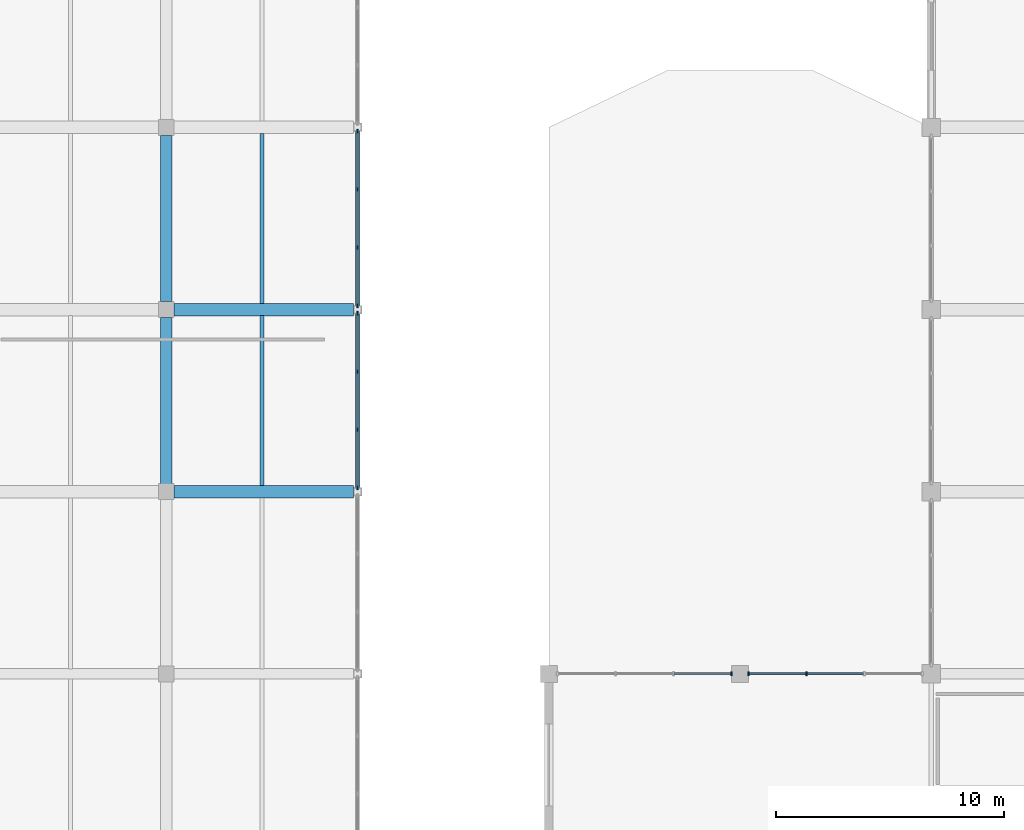
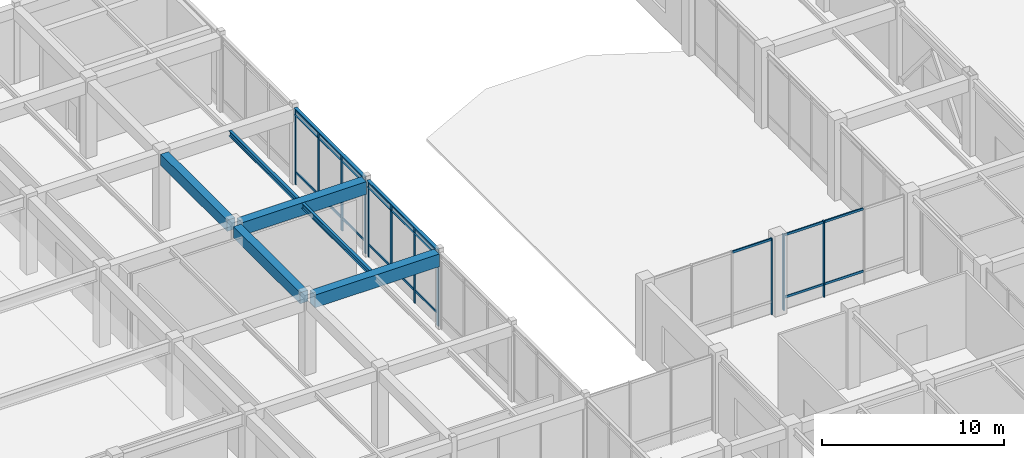
# One storey, part 34 of 79: 28 members, 8 beams, 4 elements without a shape of their own.
"""IFC4 building model written with IfcOpenShell, lengths in metres."""

from ifc_helpers import new_model, si_unit, direction, frame, origin, origin_2d, place, context, subcontext, project, spatial, rectangle, i_section, extrude, material, layer, layer_set, material_profile, profile_set, type_object, element, aggregate, save


model = new_model("IFC4")

# Units and contexts
model_context = context("Model", 3, precision=1e-05, world=origin(), true_north=direction((0.0, 1.0)))
body_context = subcontext(model_context, "Body", "Model", "MODEL_VIEW")
ifc_project = project(units=[si_unit("LENGTHUNIT", "METRE"), si_unit("AREAUNIT", "SQUARE_METRE"), si_unit("VOLUMEUNIT", "CUBIC_METRE"), si_unit("PLANEANGLEUNIT", "RADIAN"), si_unit("MASSUNIT", "GRAM", prefix="KILO")], contexts=[model_context])

# Site, building, storey
site_placement = place(None, origin())
site = spatial("IfcSite", under=ifc_project, at=site_placement, CompositionType="ELEMENT")
building_placement = place(site_placement, origin())
building = spatial("IfcBuilding", under=site, at=building_placement, Name="Naruveol Harbour Congress Hotel", CompositionType="ELEMENT")
storey_placement = place(building_placement, frame((0.0, 0.0, 6.0)))
storey = spatial("IfcBuildingStorey", under=building, at=storey_placement, Name="L01", CompositionType="ELEMENT", Elevation=6.0)

# Beams
ifc_material_1 = material(Name="Concrete C40/50", Category="concrete")
ifc_material_profile_1 = material_profile(ifc_material_1, rectangle(XDim=0.5, YDim=0.75, at=origin_2d()), Name="RCB-500x750")
ifc_profile_set_1 = profile_set([ifc_material_profile_1], Name="Concrete C40/50")
beam_type_1 = type_object("IfcBeamType", Name="RC FLOOR GIRDER 500X750", PredefinedType="BEAM", material=ifc_profile_set_1)
for number, where, z_axis, x_axis, name in (
    (1, (33.60009765625, 80.345947265625, 4.764892578125), (0.0, 1.0, 0.0), (-1.0, 0.0, 0.0), "Transverse girder L02 CB3"),
    (2, (33.60009765625, 88.345947265625, 4.764892578125), (0.0, 1.0, 0.0), (-1.0, 0.0, 0.0), "Transverse girder L02 CB3"),
):
    element("IfcBeam", number, at=place(storey_placement, frame(where, z_axis=z_axis, x_axis=x_axis)), inside=storey, type_object=beam_type_1, Name=name, PredefinedType="BEAM", context=body_context, shape_type="SweptSolid", body=[
        extrude(rectangle(XDim=0.5, YDim=0.75, at=origin_2d()), origin(), (0.0, 0.0, 1.0), 7.30810546875),
    ])
ifc_material_2 = material(Name="Concrete C40/50", Category="concrete")
ifc_material_profile_2 = material_profile(ifc_material_2, rectangle(XDim=0.550048828125, YDim=0.85009765625, at=origin_2d()), Name="RCB-550x850")
ifc_profile_set_2 = profile_set([ifc_material_profile_2], Name="Concrete C40/50")
beam_type_2 = type_object("IfcBeamType", Name="RC PRIMARY GIRDER 550X850", PredefinedType="BEAM", material=ifc_profile_set_2)
for number, where, z_axis, x_axis, name in (
    (3, (33.946044921875, 80.0, 4.715087890625), (1.0, 0.0, 0.0), (0.0, 1.0, 0.0), "Floor girder L02 CB2"),
    (4, (33.946044921875, 88.0, 4.715087890625), (1.0, 0.0, 0.0), (0.0, 1.0, 0.0), "Floor girder L02 CB2"),
):
    element("IfcBeam", number, at=place(storey_placement, frame(where, z_axis=z_axis, x_axis=x_axis)), inside=storey, type_object=beam_type_2, Name=name, PredefinedType="BEAM", context=body_context, shape_type="SweptSolid", body=[
        extrude(rectangle(XDim=0.550048828125, YDim=0.85009765625, at=origin_2d()), origin(), (0.0, 0.0, 1.0), 7.883056640625),
    ])
ifc_material_3 = material(Name="Steel SN490", Category="steel")
ifc_material_profile_3 = material_profile(ifc_material_3, i_section(OverallWidth=0.175048828125, OverallDepth=0.35009765625, WebThickness=0.007080078125, FlangeThickness=0.010986328125, at=origin_2d()), Name="H-350x175x7x11")
ifc_profile_set_3 = profile_set([ifc_material_profile_3], Name="Steel SN490")
beam_type_3 = type_object("IfcBeamType", Name="STEEL SECONDARY JOIST H350", PredefinedType="JOIST", material=ifc_profile_set_3)
for number, where, z_axis, x_axis, name in (
    (5, (37.800048828125, 80.27099609375, 4.965087890625), (0.0, 1.0, 0.0), (-1.0, 0.0, 0.0), "Secondary floor joist L02 SJ2"),
    (6, (37.800048828125, 88.27099609375, 4.965087890625), (0.0, 1.0, 0.0), (-1.0, 0.0, 0.0), "Secondary floor joist L02 SJ2"),
):
    element("IfcBeam", number, at=place(storey_placement, frame(where, z_axis=z_axis, x_axis=x_axis)), inside=storey, type_object=beam_type_3, Name=name, PredefinedType="JOIST", context=body_context, shape_type="SweptSolid", body=[
        extrude(i_section(OverallWidth=0.175048828125, OverallDepth=0.35009765625, WebThickness=0.007080078125, FlangeThickness=0.010986328125, at=origin_2d()), origin(), (0.0, 0.0, 1.0), 7.4580078125),
    ])
ifc_material_4 = material(Name="Steel SN490", Category="steel")
ifc_material_profile_4 = material_profile(ifc_material_4, i_section(OverallWidth=0.199951171875, OverallDepth=0.449951171875, WebThickness=0.009033203125, FlangeThickness=0.013916015625, at=origin_2d()), Name="H-450x200x9x14")
ifc_profile_set_4 = profile_set([ifc_material_profile_4], Name="Steel SN490")
beam_type_4 = type_object("IfcBeamType", Name="STEEL SPANDREL EDGE BEAM H450", PredefinedType="SPANDREL", material=ifc_profile_set_4)
for number, where, z_axis, x_axis, name in (
    (7, (42.0, 80.1708984375, 4.9150390625), (0.0, 1.0, 0.0), (-1.0, 0.0, 0.0), "Transverse girder L02 SPB2"),
    (8, (42.0, 88.1708984375, 4.9150390625), (0.0, 1.0, 0.0), (-1.0, 0.0, 0.0), "Transverse girder L02 SPB2"),
):
    element("IfcBeam", number, at=place(storey_placement, frame(where, z_axis=z_axis, x_axis=x_axis)), inside=storey, type_object=beam_type_4, Name=name, PredefinedType="SPANDREL", context=body_context, shape_type="SweptSolid", body=[
        extrude(i_section(OverallWidth=0.199951171875, OverallDepth=0.449951171875, WebThickness=0.009033203125, FlangeThickness=0.013916015625, at=origin_2d()), origin(), (0.0, 0.0, 1.0), 7.658203125),
    ])

# Curtain wall, members
ifc_material_5 = material(Name="Low-E Curtain Wall System", Category="glass")
ifc_layer_1 = layer(ifc_material_5, 0.179931640625)
ifc_layer_set_1 = layer_set([ifc_layer_1], Name="Low-E Curtain Wall System")
curtain_wall_type_1 = type_object("IfcCurtainWallType", Name="UNITISED CURTAIN WALL CW-V3E-15 7650X5100", PredefinedType="USERDEFINED", material=ifc_layer_set_1)
curtain_wall_1_placement = place(storey_placement, origin())
curtain_wall_1 = element("IfcCurtainWall", 9, at=curtain_wall_1_placement, inside=storey, type_object=curtain_wall_type_1, Name="Unitised curtain wall CW-V3E-15 L01", ObjectType="UNITISED GLAZING", PredefinedType="USERDEFINED")
ifc_material_6 = material(Name="Anodised Aluminium 6063-T6", Category="aluminium")
ifc_material_profile_5 = material_profile(ifc_material_6, rectangle(XDim=0.074951171875, YDim=0.179931640625, at=origin_2d()), Name="ALU-75x180")
ifc_profile_set_5 = profile_set([ifc_material_profile_5], Name="Anodised Aluminium 6063-T6")
member_type_1 = type_object("IfcMemberType", Name="THERMAL ALUMINIUM MULLION 75X180", PredefinedType="MULLION", material=ifc_profile_set_5)
member_1_placement = place(storey_placement, frame((42.0, 87.824951171875, 0.0), z_axis=(0.0, 0.0, 1.0), x_axis=(1.0, 0.0, 0.0)))
member_1 = element("IfcMember", 10, at=member_1_placement, type_object=member_type_1, Name="Curtain wall mullion CW-L01-0029-M0", PredefinedType="MULLION", context=body_context, shape_type="SweptSolid", body=[
    extrude(rectangle(XDim=0.074951171875, YDim=0.179931640625, at=origin_2d()), origin(), (0.0, 0.0, 1.0), 5.10009765625),
])
member_2_placement = place(storey_placement, frame((42.0, 85.27490234375, 0.0), z_axis=(0.0, 0.0, 1.0), x_axis=(1.0, 0.0, 0.0)))
member_2 = element("IfcMember", 11, at=member_2_placement, type_object=member_type_1, Name="Curtain wall mullion CW-L01-0029-M1", PredefinedType="MULLION", context=body_context, shape_type="SweptSolid", body=[
    extrude(rectangle(XDim=0.074951171875, YDim=0.179931640625, at=origin_2d()), origin(), (0.0, 0.0, 1.0), 5.10009765625),
])
member_3_placement = place(storey_placement, frame((42.0, 82.72509765625, 0.0), z_axis=(0.0, 0.0, 1.0), x_axis=(1.0, 0.0, 0.0)))
member_3 = element("IfcMember", 12, at=member_3_placement, type_object=member_type_1, Name="Curtain wall mullion CW-L01-0029-M2", PredefinedType="MULLION", context=body_context, shape_type="SweptSolid", body=[
    extrude(rectangle(XDim=0.074951171875, YDim=0.179931640625, at=origin_2d()), origin(), (0.0, 0.0, 1.0), 5.10009765625),
])
member_4_placement = place(storey_placement, frame((42.0, 80.175048828125, 0.0), z_axis=(0.0, 0.0, 1.0), x_axis=(1.0, 0.0, 0.0)))
member_4 = element("IfcMember", 13, at=member_4_placement, type_object=member_type_1, Name="Curtain wall mullion CW-L01-0029-M3", PredefinedType="MULLION", context=body_context, shape_type="SweptSolid", body=[
    extrude(rectangle(XDim=0.074951171875, YDim=0.179931640625, at=origin_2d()), origin(), (0.0, 0.0, 1.0), 5.10009765625),
])

curtain_wall_2_placement = place(storey_placement, origin())
curtain_wall_2 = element("IfcCurtainWall", 14, at=curtain_wall_2_placement, inside=storey, type_object=curtain_wall_type_1, Name="Unitised curtain wall CW-V3E-15 L01", ObjectType="UNITISED GLAZING", PredefinedType="USERDEFINED")
member_5_placement = place(storey_placement, frame((42.0, 95.824951171875, 0.0), z_axis=(0.0, 0.0, 1.0), x_axis=(1.0, 0.0, 0.0)))
member_5 = element("IfcMember", 15, at=member_5_placement, type_object=member_type_1, Name="Curtain wall mullion CW-L01-0030-M0", PredefinedType="MULLION", context=body_context, shape_type="SweptSolid", body=[
    extrude(rectangle(XDim=0.074951171875, YDim=0.179931640625, at=origin_2d()), origin(), (0.0, 0.0, 1.0), 5.10009765625),
])
member_6_placement = place(storey_placement, frame((42.0, 93.27490234375, 0.0), z_axis=(0.0, 0.0, 1.0), x_axis=(1.0, 0.0, 0.0)))
member_6 = element("IfcMember", 16, at=member_6_placement, type_object=member_type_1, Name="Curtain wall mullion CW-L01-0030-M1", PredefinedType="MULLION", context=body_context, shape_type="SweptSolid", body=[
    extrude(rectangle(XDim=0.074951171875, YDim=0.179931640625, at=origin_2d()), origin(), (0.0, 0.0, 1.0), 5.10009765625),
])
member_7_placement = place(storey_placement, frame((42.0, 90.72509765625, 0.0), z_axis=(0.0, 0.0, 1.0), x_axis=(1.0, 0.0, 0.0)))
member_7 = element("IfcMember", 17, at=member_7_placement, type_object=member_type_1, Name="Curtain wall mullion CW-L01-0030-M2", PredefinedType="MULLION", context=body_context, shape_type="SweptSolid", body=[
    extrude(rectangle(XDim=0.074951171875, YDim=0.179931640625, at=origin_2d()), origin(), (0.0, 0.0, 1.0), 5.10009765625),
])
member_8_placement = place(storey_placement, frame((42.0, 88.175048828125, 0.0), z_axis=(0.0, 0.0, 1.0), x_axis=(1.0, 0.0, 0.0)))
member_8 = element("IfcMember", 18, at=member_8_placement, type_object=member_type_1, Name="Curtain wall mullion CW-L01-0030-M3", PredefinedType="MULLION", context=body_context, shape_type="SweptSolid", body=[
    extrude(rectangle(XDim=0.074951171875, YDim=0.179931640625, at=origin_2d()), origin(), (0.0, 0.0, 1.0), 5.10009765625),
])

# Curtain wall, member
ifc_material_7 = material(Name="Low-E Curtain Wall System", Category="glass")
ifc_layer_2 = layer(ifc_material_7, 0.179931640625)
ifc_layer_set_2 = layer_set([ifc_layer_2], Name="Low-E Curtain Wall System")
curtain_wall_type_2 = type_object("IfcCurtainWallType", Name="UNITISED CURTAIN WALL CW-V4NF-32 7650X5100", PredefinedType="USERDEFINED", material=ifc_layer_set_2)
curtain_wall_3_placement = place(storey_placement, origin())
curtain_wall_3 = element("IfcCurtainWall", 19, at=curtain_wall_3_placement, inside=storey, type_object=curtain_wall_type_2, Name="Unitised curtain wall CW-V4NF-32 L01", ObjectType="UNITISED GLAZING", PredefinedType="USERDEFINED")
member_9_placement = place(storey_placement, frame((58.425048828125, 72.0, 0.0), z_axis=(0.0, 0.0, 1.0), x_axis=(1.0, 0.0, 0.0)))
member_9 = element("IfcMember", 20, at=member_9_placement, type_object=member_type_1, Name="Curtain wall mullion CW-L01-0076-M3", PredefinedType="MULLION", context=body_context, shape_type="SweptSolid", body=[
    extrude(rectangle(XDim=0.074951171875, YDim=0.179931640625, at=origin_2d()), origin(), (0.0, 0.0, 1.0), 5.10009765625),
])

# Curtain wall, members
ifc_material_8 = material(Name="Low-E Curtain Wall System", Category="glass")
ifc_layer_3 = layer(ifc_material_8, 0.179931640625)
ifc_layer_set_3 = layer_set([ifc_layer_3], Name="Low-E Curtain Wall System")
curtain_wall_type_3 = type_object("IfcCurtainWallType", Name="UNITISED CURTAIN WALL CW-V4NF-33 7625X5100", PredefinedType="USERDEFINED", material=ifc_layer_set_3)
curtain_wall_4_placement = place(storey_placement, origin())
curtain_wall_4 = element("IfcCurtainWall", 21, at=curtain_wall_4_placement, inside=storey, type_object=curtain_wall_type_3, Name="Unitised curtain wall CW-V4NF-33 L01", ObjectType="UNITISED GLAZING", PredefinedType="USERDEFINED")
member_10_placement = place(storey_placement, frame((59.175048828125, 72.0, 0.0), z_axis=(0.0, 0.0, 1.0), x_axis=(1.0, 0.0, 0.0)))
member_10 = element("IfcMember", 22, at=member_10_placement, type_object=member_type_1, Name="Curtain wall mullion CW-L01-0077-M0", PredefinedType="MULLION", context=body_context, shape_type="SweptSolid", body=[
    extrude(rectangle(XDim=0.074951171875, YDim=0.179931640625, at=origin_2d()), origin(), (0.0, 0.0, 1.0), 5.10009765625),
])
member_11_placement = place(storey_placement, frame((61.716796875, 72.0, 0.0), z_axis=(0.0, 0.0, 1.0), x_axis=(1.0, 0.0, 0.0)))
member_11 = element("IfcMember", 23, at=member_11_placement, type_object=member_type_1, Name="Curtain wall mullion CW-L01-0077-M1", PredefinedType="MULLION", context=body_context, shape_type="SweptSolid", body=[
    extrude(rectangle(XDim=0.074951171875, YDim=0.179931640625, at=origin_2d()), origin(), (0.0, 0.0, 1.0), 5.10009765625),
])

# Member
ifc_material_9 = material(Name="Anodised Aluminium 6063-T6", Category="aluminium")
ifc_material_profile_6 = material_profile(ifc_material_9, rectangle(XDim=0.074951171875, YDim=0.14990234375, at=origin_2d()), Name="ALU-75x150")
ifc_profile_set_6 = profile_set([ifc_material_profile_6], Name="Anodised Aluminium 6063-T6")
member_type_2 = type_object("IfcMemberType", Name="THERMAL ALUMINIUM TRANSOM 75X150", PredefinedType="USERDEFINED", material=ifc_profile_set_6)
member_12_placement = place(storey_placement, frame((42.0, 87.784912109375, 0.85009765625), z_axis=(0.0, -1.0, 0.0), x_axis=(1.0, 0.0, 0.0)))
member_12 = element("IfcMember", 24, at=member_12_placement, type_object=member_type_2, Name="Curtain wall transom CW-L01-0029-T0.1", ObjectType="TRANSOM", PredefinedType="USERDEFINED", context=body_context, shape_type="SweptSolid", body=[
    extrude(rectangle(XDim=0.074951171875, YDim=0.14990234375, at=origin_2d()), origin(), (0.0, 0.0, 1.0), 2.469970703125),
])

member_13_placement = place(storey_placement, frame((42.0, 87.784912109375, 5.02001953125), z_axis=(0.0, -1.0, 0.0), x_axis=(1.0, 0.0, 0.0)))
member_13 = element("IfcMember", 25, at=member_13_placement, type_object=member_type_2, Name="Curtain wall transom CW-L01-0029-T0.2", ObjectType="TRANSOM", PredefinedType="USERDEFINED", context=body_context, shape_type="SweptSolid", body=[
    extrude(rectangle(XDim=0.074951171875, YDim=0.14990234375, at=origin_2d()), origin(), (0.0, 0.0, 1.0), 2.469970703125),
])

member_14_placement = place(storey_placement, frame((42.0, 85.235107421875, 0.85009765625), z_axis=(0.0, -1.0, 0.0), x_axis=(1.0, 0.0, 0.0)))
member_14 = element("IfcMember", 26, at=member_14_placement, type_object=member_type_2, Name="Curtain wall transom CW-L01-0029-T1.1", ObjectType="TRANSOM", PredefinedType="USERDEFINED", context=body_context, shape_type="SweptSolid", body=[
    extrude(rectangle(XDim=0.074951171875, YDim=0.14990234375, at=origin_2d()), origin(), (0.0, 0.0, 1.0), 2.47021484375),
])

member_15_placement = place(storey_placement, frame((42.0, 85.235107421875, 5.02001953125), z_axis=(0.0, -1.0, 0.0), x_axis=(1.0, 0.0, 0.0)))
member_15 = element("IfcMember", 27, at=member_15_placement, type_object=member_type_2, Name="Curtain wall transom CW-L01-0029-T1.2", ObjectType="TRANSOM", PredefinedType="USERDEFINED", context=body_context, shape_type="SweptSolid", body=[
    extrude(rectangle(XDim=0.074951171875, YDim=0.14990234375, at=origin_2d()), origin(), (0.0, 0.0, 1.0), 2.47021484375),
])

member_16_placement = place(storey_placement, frame((42.0, 82.68505859375, 0.85009765625), z_axis=(0.0, -1.0, 0.0), x_axis=(1.0, 0.0, 0.0)))
member_16 = element("IfcMember", 28, at=member_16_placement, type_object=member_type_2, Name="Curtain wall transom CW-L01-0029-T2.1", ObjectType="TRANSOM", PredefinedType="USERDEFINED", context=body_context, shape_type="SweptSolid", body=[
    extrude(rectangle(XDim=0.074951171875, YDim=0.14990234375, at=origin_2d()), origin(), (0.0, 0.0, 1.0), 2.469970703125),
])

member_17_placement = place(storey_placement, frame((42.0, 82.68505859375, 5.02001953125), z_axis=(0.0, -1.0, 0.0), x_axis=(1.0, 0.0, 0.0)))
member_17 = element("IfcMember", 29, at=member_17_placement, type_object=member_type_2, Name="Curtain wall transom CW-L01-0029-T2.2", ObjectType="TRANSOM", PredefinedType="USERDEFINED", context=body_context, shape_type="SweptSolid", body=[
    extrude(rectangle(XDim=0.074951171875, YDim=0.14990234375, at=origin_2d()), origin(), (0.0, 0.0, 1.0), 2.469970703125),
])

aggregate(curtain_wall_1, [member_1, member_2, member_3, member_4, member_12, member_13, member_14, member_15, member_16, member_17])

member_18_placement = place(storey_placement, frame((42.0, 95.784912109375, 0.85009765625), z_axis=(0.0, -1.0, 0.0), x_axis=(1.0, 0.0, 0.0)))
member_18 = element("IfcMember", 30, at=member_18_placement, type_object=member_type_2, Name="Curtain wall transom CW-L01-0030-T0.1", ObjectType="TRANSOM", PredefinedType="USERDEFINED", context=body_context, shape_type="SweptSolid", body=[
    extrude(rectangle(XDim=0.074951171875, YDim=0.14990234375, at=origin_2d()), origin(), (0.0, 0.0, 1.0), 2.469970703125),
])

member_19_placement = place(storey_placement, frame((42.0, 95.784912109375, 5.02001953125), z_axis=(0.0, -1.0, 0.0), x_axis=(1.0, 0.0, 0.0)))
member_19 = element("IfcMember", 31, at=member_19_placement, type_object=member_type_2, Name="Curtain wall transom CW-L01-0030-T0.2", ObjectType="TRANSOM", PredefinedType="USERDEFINED", context=body_context, shape_type="SweptSolid", body=[
    extrude(rectangle(XDim=0.074951171875, YDim=0.14990234375, at=origin_2d()), origin(), (0.0, 0.0, 1.0), 2.469970703125),
])

member_20_placement = place(storey_placement, frame((42.0, 93.235107421875, 0.85009765625), z_axis=(0.0, -1.0, 0.0), x_axis=(1.0, 0.0, 0.0)))
member_20 = element("IfcMember", 32, at=member_20_placement, type_object=member_type_2, Name="Curtain wall transom CW-L01-0030-T1.1", ObjectType="TRANSOM", PredefinedType="USERDEFINED", context=body_context, shape_type="SweptSolid", body=[
    extrude(rectangle(XDim=0.074951171875, YDim=0.14990234375, at=origin_2d()), origin(), (0.0, 0.0, 1.0), 2.47021484375),
])

member_21_placement = place(storey_placement, frame((42.0, 93.235107421875, 5.02001953125), z_axis=(0.0, -1.0, 0.0), x_axis=(1.0, 0.0, 0.0)))
member_21 = element("IfcMember", 33, at=member_21_placement, type_object=member_type_2, Name="Curtain wall transom CW-L01-0030-T1.2", ObjectType="TRANSOM", PredefinedType="USERDEFINED", context=body_context, shape_type="SweptSolid", body=[
    extrude(rectangle(XDim=0.074951171875, YDim=0.14990234375, at=origin_2d()), origin(), (0.0, 0.0, 1.0), 2.47021484375),
])

member_22_placement = place(storey_placement, frame((42.0, 90.68505859375, 0.85009765625), z_axis=(0.0, -1.0, 0.0), x_axis=(1.0, 0.0, 0.0)))
member_22 = element("IfcMember", 34, at=member_22_placement, type_object=member_type_2, Name="Curtain wall transom CW-L01-0030-T2.1", ObjectType="TRANSOM", PredefinedType="USERDEFINED", context=body_context, shape_type="SweptSolid", body=[
    extrude(rectangle(XDim=0.074951171875, YDim=0.14990234375, at=origin_2d()), origin(), (0.0, 0.0, 1.0), 2.469970703125),
])

member_23_placement = place(storey_placement, frame((42.0, 90.68505859375, 5.02001953125), z_axis=(0.0, -1.0, 0.0), x_axis=(1.0, 0.0, 0.0)))
member_23 = element("IfcMember", 35, at=member_23_placement, type_object=member_type_2, Name="Curtain wall transom CW-L01-0030-T2.2", ObjectType="TRANSOM", PredefinedType="USERDEFINED", context=body_context, shape_type="SweptSolid", body=[
    extrude(rectangle(XDim=0.074951171875, YDim=0.14990234375, at=origin_2d()), origin(), (0.0, 0.0, 1.0), 2.469970703125),
])

aggregate(curtain_wall_2, [member_5, member_6, member_7, member_8, member_18, member_19, member_20, member_21, member_22, member_23])

member_24_placement = place(storey_placement, frame((55.9150390625, 72.0, 5.02001953125), z_axis=(1.0, 0.0, 0.0), x_axis=(0.0, 1.0, 0.0)))
member_24 = element("IfcMember", 36, at=member_24_placement, type_object=member_type_2, Name="Curtain wall transom CW-L01-0076-T2.2", ObjectType="TRANSOM", PredefinedType="USERDEFINED", context=body_context, shape_type="SweptSolid", body=[
    extrude(rectangle(XDim=0.074951171875, YDim=0.14990234375, at=origin_2d()), origin(), (0.0, 0.0, 1.0), 2.469970703125),
])

aggregate(curtain_wall_3, [member_9, member_24])

member_25_placement = place(storey_placement, frame((59.215087890625, 72.0, 0.85009765625), z_axis=(1.0, 0.0, 0.0), x_axis=(0.0, 1.0, 0.0)))
member_25 = element("IfcMember", 37, at=member_25_placement, type_object=member_type_2, Name="Curtain wall transom CW-L01-0077-T0.1", ObjectType="TRANSOM", PredefinedType="USERDEFINED", context=body_context, shape_type="SweptSolid", body=[
    extrude(rectangle(XDim=0.074951171875, YDim=0.14990234375, at=origin_2d()), origin(), (0.0, 0.0, 1.0), 2.461669921875),
])

member_26_placement = place(storey_placement, frame((59.215087890625, 72.0, 5.02001953125), z_axis=(1.0, 0.0, 0.0), x_axis=(0.0, 1.0, 0.0)))
member_26 = element("IfcMember", 38, at=member_26_placement, type_object=member_type_2, Name="Curtain wall transom CW-L01-0077-T0.2", ObjectType="TRANSOM", PredefinedType="USERDEFINED", context=body_context, shape_type="SweptSolid", body=[
    extrude(rectangle(XDim=0.074951171875, YDim=0.14990234375, at=origin_2d()), origin(), (0.0, 0.0, 1.0), 2.461669921875),
])

member_27_placement = place(storey_placement, frame((61.756591796875, 72.0, 0.85009765625), z_axis=(1.0, 0.0, 0.0), x_axis=(0.0, 1.0, 0.0)))
member_27 = element("IfcMember", 39, at=member_27_placement, type_object=member_type_2, Name="Curtain wall transom CW-L01-0077-T1.1", ObjectType="TRANSOM", PredefinedType="USERDEFINED", context=body_context, shape_type="SweptSolid", body=[
    extrude(rectangle(XDim=0.074951171875, YDim=0.14990234375, at=origin_2d()), origin(), (0.0, 0.0, 1.0), 2.461669921875),
])

member_28_placement = place(storey_placement, frame((61.756591796875, 72.0, 5.02001953125), z_axis=(1.0, 0.0, 0.0), x_axis=(0.0, 1.0, 0.0)))
member_28 = element("IfcMember", 40, at=member_28_placement, type_object=member_type_2, Name="Curtain wall transom CW-L01-0077-T1.2", ObjectType="TRANSOM", PredefinedType="USERDEFINED", context=body_context, shape_type="SweptSolid", body=[
    extrude(rectangle(XDim=0.074951171875, YDim=0.14990234375, at=origin_2d()), origin(), (0.0, 0.0, 1.0), 2.461669921875),
])

aggregate(curtain_wall_4, [member_10, member_11, member_25, member_26, member_27, member_28])

save(model, "model.ifc")
